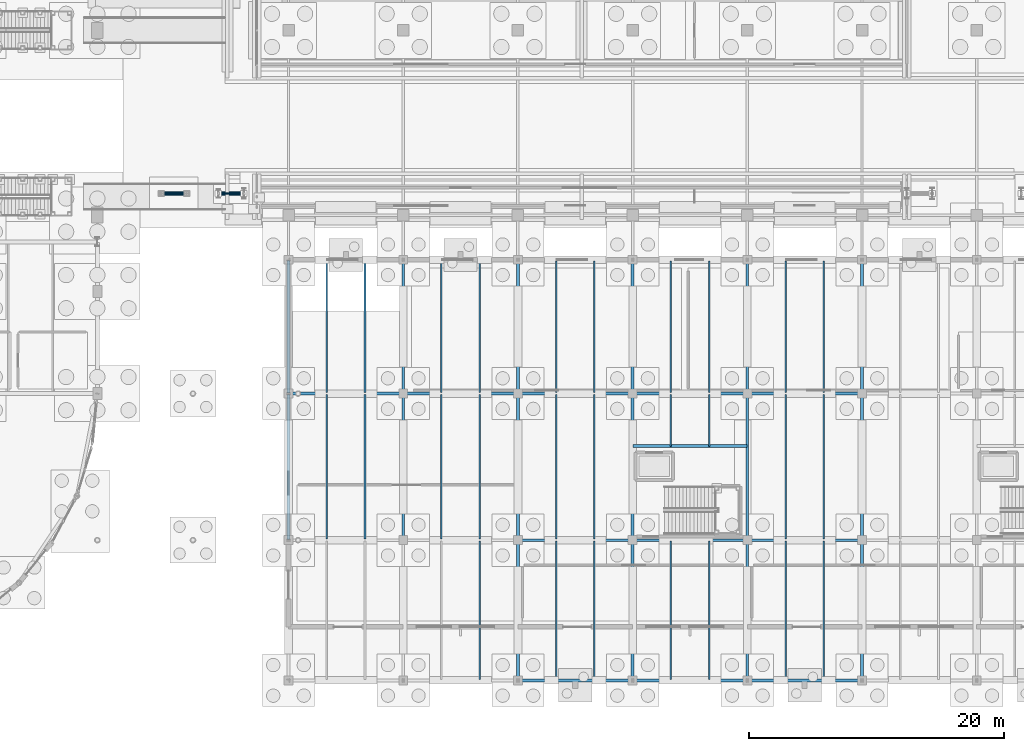
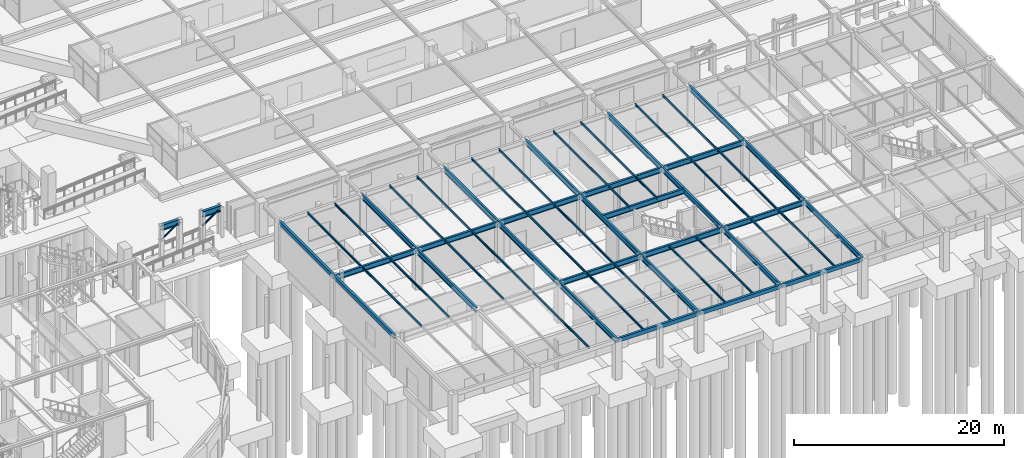
# One storey, part 80 of 160: 57 beams, 2 members.
"""IFC4 building model written with IfcOpenShell, lengths in metres."""

from ifc_helpers import new_model, si_unit, direction, frame, origin, origin_2d, place, context, subcontext, project, spatial, hollow_rectangle, hollow_circle, i_section, extrude, material, material_profile, profile_set, type_object, element, save


model = new_model("IFC4")

# Units and contexts
model_context = context("Model", 3, precision=1e-05, world=origin(), true_north=direction((0.0, 1.0)))
body_context = subcontext(model_context, "Body", "Model", "MODEL_VIEW")
ifc_project = project(units=[si_unit("LENGTHUNIT", "METRE"), si_unit("AREAUNIT", "SQUARE_METRE"), si_unit("VOLUMEUNIT", "CUBIC_METRE"), si_unit("PLANEANGLEUNIT", "RADIAN"), si_unit("MASSUNIT", "GRAM", prefix="KILO")], contexts=[model_context])

# Site, building, storey
site_placement = place(None, origin())
site = spatial("IfcSite", under=ifc_project, at=site_placement, CompositionType="ELEMENT")
building_placement = place(site_placement, origin())
building = spatial("IfcBuilding", under=site, at=building_placement, Name="Marlcrest Central Station", CompositionType="ELEMENT")
storey_placement = place(building_placement, origin())
storey = spatial("IfcBuildingStorey", under=building, at=storey_placement, Name="L00", CompositionType="ELEMENT", Elevation=0.0)

# Members
ifc_material = material(Name="Steel S355", Category="steel")
ifc_material_profile_1 = material_profile(ifc_material, hollow_circle(Radius=0.06982421875, WallThickness=0.008056640625, at=origin_2d()), Name="CHS 139.7x8")
ifc_profile_set_1 = profile_set([ifc_material_profile_1], Name="Steel S355")
member_type_1 = type_object("IfcMemberType", Name="BF-07", PredefinedType="BRACE", material=ifc_profile_set_1)
member_1_placement = place(storey_placement, frame((134.0, 38.199951171875, 2.699951171875), z_axis=(0.819203731481, 0.0, 0.57350261231), x_axis=(0.0, 1.0, 0.0)))
element("IfcMember", 1, at=member_1_placement, inside=storey, type_object=member_type_1, Name="mem-BF-07-L00-02562", PredefinedType="BRACE", context=body_context, shape_type="SweptSolid", body=[
    extrude(hollow_circle(Radius=0.06982421875, WallThickness=0.008056640625, at=origin_2d()), origin(), (0.0, 0.0, 1.0), 2.44140625),
])
ifc_material_profile_2 = material_profile(ifc_material, hollow_circle(Radius=0.096923828125, WallThickness=0.010009765625, at=origin_2d()), Name="CHS 193.7x10")
ifc_profile_set_2 = profile_set([ifc_material_profile_2], Name="Steel S355")
member_type_2 = type_object("IfcMemberType", Name="BF-08", PredefinedType="BRACE", material=ifc_profile_set_2)
member_2_placement = place(storey_placement, frame((138.5, 38.199951171875, 2.699951171875), z_axis=(0.819203731481, 0.0, 0.57350261231), x_axis=(0.0, 1.0, 0.0)))
element("IfcMember", 2, at=member_2_placement, inside=storey, type_object=member_type_2, Name="mem-BF-08-L00-02554", PredefinedType="BRACE", context=body_context, shape_type="SweptSolid", body=[
    extrude(hollow_circle(Radius=0.096923828125, WallThickness=0.010009765625, at=origin_2d()), origin(), (0.0, 0.0, 1.0), 2.44140625),
])

# Beams
ifc_material_profile_3 = material_profile(ifc_material, i_section(OverallWidth=0.219970703125, OverallDepth=0.60009765625, WebThickness=0.011962890625, FlangeThickness=0.01904296875, FilletRadius=0.02392578125, at=origin_2d()), Name="IPE 600")
ifc_profile_set_3 = profile_set([ifc_material_profile_3], Name="Steel S355")
beam_type_1 = type_object("IfcBeamType", Name="BM-07", PredefinedType="BEAM", material=ifc_profile_set_3)
for number, where, z_axis, x_axis, name in (
    (3, (162.06005859375, 11.0, 4.304931640625), (1.0, 0.0, 0.0), (0.0, 1.0, 0.0), "bm-BM-07-L00-00760"),
    (4, (171.06005859375, 11.0, 4.304931640625), (1.0, 0.0, 0.0), (0.0, 1.0, 0.0), "bm-BM-07-L00-00761"),
    (5, (180.06005859375, 11.0, 4.304931640625), (1.0, 0.0, 0.0), (0.0, 1.0, 0.0), "bm-BM-07-L00-00762"),
    (6, (144.06005859375, 22.5, 4.304931640625), (1.0, 0.0, 0.0), (0.0, 1.0, 0.0), "bm-BM-07-L00-00766"),
    (7, (153.06005859375, 22.5, 4.304931640625), (1.0, 0.0, 0.0), (0.0, 1.0, 0.0), "bm-BM-07-L00-00767"),
    (8, (162.06005859375, 22.5, 4.304931640625), (1.0, 0.0, 0.0), (0.0, 1.0, 0.0), "bm-BM-07-L00-00768"),
    (9, (171.06005859375, 22.5, 4.304931640625), (1.0, 0.0, 0.0), (0.0, 1.0, 0.0), "bm-BM-07-L00-00769"),
    (10, (180.06005859375, 22.5, 4.304931640625), (1.0, 0.0, 0.0), (0.0, 1.0, 0.0), "bm-BM-07-L00-00770"),
):
    element("IfcBeam", number, at=place(storey_placement, frame(where, z_axis=z_axis, x_axis=x_axis)), inside=storey, type_object=beam_type_1, Name=name, PredefinedType="BEAM", context=body_context, shape_type="SweptSolid", body=[
        extrude(i_section(OverallWidth=0.219970703125, OverallDepth=0.60009765625, WebThickness=0.011962890625, FlangeThickness=0.01904296875, FilletRadius=0.02392578125, at=origin_2d()), origin(), (0.0, 0.0, 1.0), 8.8798828125),
    ])
beam_1_placement = place(storey_placement, frame((153.0, 11.06005859375, 4.304931640625), z_axis=(0.0, 1.0, 0.0), x_axis=(-1.0, 0.0, 0.0)))
element("IfcBeam", 11, at=beam_1_placement, inside=storey, type_object=beam_type_1, Name="bm-BM-07-L00-00786", PredefinedType="BEAM", context=body_context, shape_type="SweptSolid", body=[
    extrude(i_section(OverallWidth=0.219970703125, OverallDepth=0.60009765625, WebThickness=0.011962890625, FlangeThickness=0.01904296875, FilletRadius=0.02392578125, at=origin_2d()), origin(), (0.0, 0.0, 1.0), 11.3798828125),
])
beam_2_placement = place(storey_placement, frame((153.0, 22.56005859375, 4.304931640625), z_axis=(0.0, 1.0, 0.0), x_axis=(-1.0, 0.0, 0.0)))
element("IfcBeam", 12, at=beam_2_placement, inside=storey, type_object=beam_type_1, Name="bm-BM-07-L00-00787", PredefinedType="BEAM", context=body_context, shape_type="SweptSolid", body=[
    extrude(i_section(OverallWidth=0.219970703125, OverallDepth=0.60009765625, WebThickness=0.011962890625, FlangeThickness=0.01904296875, FilletRadius=0.02392578125, at=origin_2d()), origin(), (0.0, 0.0, 1.0), 10.3798828125),
])
beam_3_placement = place(storey_placement, frame((162.0, 0.06005859375, 4.304931640625), z_axis=(0.0, 1.0, 0.0), x_axis=(-1.0, 0.0, 0.0)))
element("IfcBeam", 13, at=beam_3_placement, inside=storey, type_object=beam_type_1, Name="bm-BM-07-L00-00788", PredefinedType="BEAM", context=body_context, shape_type="SweptSolid", body=[
    extrude(i_section(OverallWidth=0.219970703125, OverallDepth=0.60009765625, WebThickness=0.011962890625, FlangeThickness=0.01904296875, FilletRadius=0.02392578125, at=origin_2d()), origin(), (0.0, 0.0, 1.0), 10.8798828125),
])
beam_4_placement = place(storey_placement, frame((162.0, 11.06005859375, 4.304931640625), z_axis=(0.0, 1.0, 0.0), x_axis=(-1.0, 0.0, 0.0)))
element("IfcBeam", 14, at=beam_4_placement, inside=storey, type_object=beam_type_1, Name="bm-BM-07-L00-00789", PredefinedType="BEAM", context=body_context, shape_type="SweptSolid", body=[
    extrude(i_section(OverallWidth=0.219970703125, OverallDepth=0.60009765625, WebThickness=0.011962890625, FlangeThickness=0.01904296875, FilletRadius=0.02392578125, at=origin_2d()), origin(), (0.0, 0.0, 1.0), 11.3798828125),
])
beam_5_placement = place(storey_placement, frame((162.0, 22.56005859375, 4.304931640625), z_axis=(0.0, 1.0, 0.0), x_axis=(-1.0, 0.0, 0.0)))
element("IfcBeam", 15, at=beam_5_placement, inside=storey, type_object=beam_type_1, Name="bm-BM-07-L00-00790", PredefinedType="BEAM", context=body_context, shape_type="SweptSolid", body=[
    extrude(i_section(OverallWidth=0.219970703125, OverallDepth=0.60009765625, WebThickness=0.011962890625, FlangeThickness=0.01904296875, FilletRadius=0.02392578125, at=origin_2d()), origin(), (0.0, 0.0, 1.0), 10.3798828125),
])
beam_6_placement = place(storey_placement, frame((171.0, 0.06005859375, 4.304931640625), z_axis=(0.0, 1.0, 0.0), x_axis=(-1.0, 0.0, 0.0)))
element("IfcBeam", 16, at=beam_6_placement, inside=storey, type_object=beam_type_1, Name="bm-BM-07-L00-00791", PredefinedType="BEAM", context=body_context, shape_type="SweptSolid", body=[
    extrude(i_section(OverallWidth=0.219970703125, OverallDepth=0.60009765625, WebThickness=0.011962890625, FlangeThickness=0.01904296875, FilletRadius=0.02392578125, at=origin_2d()), origin(), (0.0, 0.0, 1.0), 10.8798828125),
])
beam_7_placement = place(storey_placement, frame((171.0, 11.06005859375, 4.304931640625), z_axis=(0.0, 1.0, 0.0), x_axis=(-1.0, 0.0, 0.0)))
element("IfcBeam", 17, at=beam_7_placement, inside=storey, type_object=beam_type_1, Name="bm-BM-07-L00-00792", PredefinedType="BEAM", context=body_context, shape_type="SweptSolid", body=[
    extrude(i_section(OverallWidth=0.219970703125, OverallDepth=0.60009765625, WebThickness=0.011962890625, FlangeThickness=0.01904296875, FilletRadius=0.02392578125, at=origin_2d()), origin(), (0.0, 0.0, 1.0), 11.3798828125),
])
beam_8_placement = place(storey_placement, frame((171.0, 22.56005859375, 4.304931640625), z_axis=(0.0, 1.0, 0.0), x_axis=(-1.0, 0.0, 0.0)))
element("IfcBeam", 18, at=beam_8_placement, inside=storey, type_object=beam_type_1, Name="bm-BM-07-L00-00793", PredefinedType="BEAM", context=body_context, shape_type="SweptSolid", body=[
    extrude(i_section(OverallWidth=0.219970703125, OverallDepth=0.60009765625, WebThickness=0.011962890625, FlangeThickness=0.01904296875, FilletRadius=0.02392578125, at=origin_2d()), origin(), (0.0, 0.0, 1.0), 10.3798828125),
])
beam_9_placement = place(storey_placement, frame((180.0, 0.06005859375, 4.304931640625), z_axis=(0.0, 1.0, 0.0), x_axis=(-1.0, 0.0, 0.0)))
element("IfcBeam", 19, at=beam_9_placement, inside=storey, type_object=beam_type_1, Name="bm-BM-07-L00-00794", PredefinedType="BEAM", context=body_context, shape_type="SweptSolid", body=[
    extrude(i_section(OverallWidth=0.219970703125, OverallDepth=0.60009765625, WebThickness=0.011962890625, FlangeThickness=0.01904296875, FilletRadius=0.02392578125, at=origin_2d()), origin(), (0.0, 0.0, 1.0), 10.8798828125),
])
beam_10_placement = place(storey_placement, frame((180.0, 11.06005859375, 4.304931640625), z_axis=(0.0, 1.0, 0.0), x_axis=(-1.0, 0.0, 0.0)))
element("IfcBeam", 20, at=beam_10_placement, inside=storey, type_object=beam_type_1, Name="bm-BM-07-L00-00795", PredefinedType="BEAM", context=body_context, shape_type="SweptSolid", body=[
    extrude(i_section(OverallWidth=0.219970703125, OverallDepth=0.60009765625, WebThickness=0.011962890625, FlangeThickness=0.01904296875, FilletRadius=0.02392578125, at=origin_2d()), origin(), (0.0, 0.0, 1.0), 11.3798828125),
])
beam_11_placement = place(storey_placement, frame((180.0, 22.56005859375, 4.304931640625), z_axis=(0.0, 1.0, 0.0), x_axis=(-1.0, 0.0, 0.0)))
element("IfcBeam", 21, at=beam_11_placement, inside=storey, type_object=beam_type_1, Name="bm-BM-07-L00-00796", PredefinedType="BEAM", context=body_context, shape_type="SweptSolid", body=[
    extrude(i_section(OverallWidth=0.219970703125, OverallDepth=0.60009765625, WebThickness=0.011962890625, FlangeThickness=0.01904296875, FilletRadius=0.02392578125, at=origin_2d()), origin(), (0.0, 0.0, 1.0), 10.3798828125),
])
beam_12_placement = place(storey_placement, frame((189.0, 0.06005859375, 4.304931640625), z_axis=(0.0, 1.0, 0.0), x_axis=(-1.0, 0.0, 0.0)))
element("IfcBeam", 22, at=beam_12_placement, inside=storey, type_object=beam_type_1, Name="bm-BM-07-L00-00797", PredefinedType="BEAM", context=body_context, shape_type="SweptSolid", body=[
    extrude(i_section(OverallWidth=0.219970703125, OverallDepth=0.60009765625, WebThickness=0.011962890625, FlangeThickness=0.01904296875, FilletRadius=0.02392578125, at=origin_2d()), origin(), (0.0, 0.0, 1.0), 10.8798828125),
])
beam_13_placement = place(storey_placement, frame((189.0, 11.06005859375, 4.304931640625), z_axis=(0.0, 1.0, 0.0), x_axis=(-1.0, 0.0, 0.0)))
element("IfcBeam", 23, at=beam_13_placement, inside=storey, type_object=beam_type_1, Name="bm-BM-07-L00-00798", PredefinedType="BEAM", context=body_context, shape_type="SweptSolid", body=[
    extrude(i_section(OverallWidth=0.219970703125, OverallDepth=0.60009765625, WebThickness=0.011962890625, FlangeThickness=0.01904296875, FilletRadius=0.02392578125, at=origin_2d()), origin(), (0.0, 0.0, 1.0), 11.3798828125),
])
beam_14_placement = place(storey_placement, frame((189.0, 22.56005859375, 4.304931640625), z_axis=(0.0, 1.0, 0.0), x_axis=(-1.0, 0.0, 0.0)))
element("IfcBeam", 24, at=beam_14_placement, inside=storey, type_object=beam_type_1, Name="bm-BM-07-L00-00799", PredefinedType="BEAM", context=body_context, shape_type="SweptSolid", body=[
    extrude(i_section(OverallWidth=0.219970703125, OverallDepth=0.60009765625, WebThickness=0.011962890625, FlangeThickness=0.01904296875, FilletRadius=0.02392578125, at=origin_2d()), origin(), (0.0, 0.0, 1.0), 10.3798828125),
])
beam_15_placement = place(storey_placement, frame((171.0400390625, 18.39990234375, 4.304931640625), z_axis=(1.0, 0.0, 0.0), x_axis=(0.0, 1.0, 0.0)))
element("IfcBeam", 25, at=beam_15_placement, inside=storey, type_object=beam_type_1, Name="bm-BM-07-L00-00857", PredefinedType="BEAM", context=body_context, shape_type="SweptSolid", body=[
    extrude(i_section(OverallWidth=0.219970703125, OverallDepth=0.60009765625, WebThickness=0.011962890625, FlangeThickness=0.01904296875, FilletRadius=0.02392578125, at=origin_2d()), origin(), (0.0, 0.0, 1.0), 8.919921875),
])
ifc_material_profile_4 = material_profile(ifc_material, i_section(OverallWidth=0.300048828125, OverallDepth=0.68994140625, WebThickness=0.014404296875, FlangeThickness=0.027099609375, FilletRadius=0.027099609375, at=origin_2d()), Name="HEA 700")
ifc_profile_set_4 = profile_set([ifc_material_profile_4], Name="Steel S355")
beam_type_2 = type_object("IfcBeamType", Name="BM-16", PredefinedType="BEAM", material=ifc_profile_set_4)
beam_16_placement = place(storey_placement, frame((138.5, 38.199951171875, 4.10498046875), z_axis=(1.0, 0.0, 0.0), x_axis=(0.0, 1.0, 0.0)))
element("IfcBeam", 26, at=beam_16_placement, inside=storey, type_object=beam_type_2, Name="bm-BM-16-L00-01558", PredefinedType="BEAM", context=body_context, shape_type="SweptSolid", body=[
    extrude(i_section(OverallWidth=0.300048828125, OverallDepth=0.68994140625, WebThickness=0.014404296875, FlangeThickness=0.027099609375, FilletRadius=0.027099609375, at=origin_2d()), origin(), (0.0, 0.0, 1.0), 2.0),
])
ifc_material_profile_5 = material_profile(ifc_material, i_section(OverallWidth=0.300048828125, OverallDepth=0.64990234375, WebThickness=0.01611328125, FlangeThickness=0.031005859375, FilletRadius=0.027099609375, at=origin_2d()), Name="HEB 650")
ifc_profile_set_5 = profile_set([ifc_material_profile_5], Name="Steel S355")
beam_type_3 = type_object("IfcBeamType", Name="BM-20", PredefinedType="BEAM", material=ifc_profile_set_5)
beam_17_placement = place(storey_placement, frame((134.0, 38.199951171875, 4.125), z_axis=(1.0, 0.0, 0.0), x_axis=(0.0, 1.0, 0.0)))
element("IfcBeam", 27, at=beam_17_placement, inside=storey, type_object=beam_type_3, Name="bm-BM-20-L00-01566", PredefinedType="BEAM", context=body_context, shape_type="SweptSolid", body=[
    extrude(i_section(OverallWidth=0.300048828125, OverallDepth=0.64990234375, WebThickness=0.01611328125, FlangeThickness=0.031005859375, FilletRadius=0.027099609375, at=origin_2d()), origin(), (0.0, 0.0, 1.0), 2.0),
])
ifc_material_profile_6 = material_profile(ifc_material, i_section(OverallWidth=0.1201171875, OverallDepth=0.239990234375, WebThickness=0.006103515625, FlangeThickness=0.009765625, FilletRadius=0.014892578125, at=origin_2d()), Name="IPE 240")
ifc_profile_set_6 = profile_set([ifc_material_profile_6], Name="Steel S355")
beam_type_4 = type_object("IfcBeamType", Name="JS-03", PredefinedType="JOIST", material=ifc_profile_set_6)
beam_18_placement = place(storey_placement, frame((147.0, 11.0830078125, 4.485107421875), z_axis=(0.0, 1.0, 0.0), x_axis=(-1.0, 0.0, 0.0)))
element("IfcBeam", 28, at=beam_18_placement, inside=storey, type_object=beam_type_4, Name="bm-JS-03-L00-00810", PredefinedType="JOIST", context=body_context, shape_type="SweptSolid", body=[
    extrude(i_section(OverallWidth=0.1201171875, OverallDepth=0.239990234375, WebThickness=0.006103515625, FlangeThickness=0.009765625, FilletRadius=0.014892578125, at=origin_2d()), origin(), (0.0, 0.0, 1.0), 11.333984375),
])
beam_19_placement = place(storey_placement, frame((147.0, 22.5830078125, 4.485107421875), z_axis=(0.0, 1.0, 0.0), x_axis=(-1.0, 0.0, 0.0)))
element("IfcBeam", 29, at=beam_19_placement, inside=storey, type_object=beam_type_4, Name="bm-JS-03-L00-00811", PredefinedType="JOIST", context=body_context, shape_type="SweptSolid", body=[
    extrude(i_section(OverallWidth=0.1201171875, OverallDepth=0.239990234375, WebThickness=0.006103515625, FlangeThickness=0.009765625, FilletRadius=0.014892578125, at=origin_2d()), origin(), (0.0, 0.0, 1.0), 10.333984375),
])
beam_20_placement = place(storey_placement, frame((150.0, 11.0830078125, 4.485107421875), z_axis=(0.0, 1.0, 0.0), x_axis=(-1.0, 0.0, 0.0)))
element("IfcBeam", 30, at=beam_20_placement, inside=storey, type_object=beam_type_4, Name="bm-JS-03-L00-00813", PredefinedType="JOIST", context=body_context, shape_type="SweptSolid", body=[
    extrude(i_section(OverallWidth=0.1201171875, OverallDepth=0.239990234375, WebThickness=0.006103515625, FlangeThickness=0.009765625, FilletRadius=0.014892578125, at=origin_2d()), origin(), (0.0, 0.0, 1.0), 11.333984375),
])
beam_21_placement = place(storey_placement, frame((150.0, 22.5830078125, 4.485107421875), z_axis=(0.0, 1.0, 0.0), x_axis=(-1.0, 0.0, 0.0)))
element("IfcBeam", 31, at=beam_21_placement, inside=storey, type_object=beam_type_4, Name="bm-JS-03-L00-00814", PredefinedType="JOIST", context=body_context, shape_type="SweptSolid", body=[
    extrude(i_section(OverallWidth=0.1201171875, OverallDepth=0.239990234375, WebThickness=0.006103515625, FlangeThickness=0.009765625, FilletRadius=0.014892578125, at=origin_2d()), origin(), (0.0, 0.0, 1.0), 10.333984375),
])
beam_22_placement = place(storey_placement, frame((156.0, 11.0830078125, 4.485107421875), z_axis=(0.0, 1.0, 0.0), x_axis=(-1.0, 0.0, 0.0)))
element("IfcBeam", 32, at=beam_22_placement, inside=storey, type_object=beam_type_4, Name="bm-JS-03-L00-00816", PredefinedType="JOIST", context=body_context, shape_type="SweptSolid", body=[
    extrude(i_section(OverallWidth=0.1201171875, OverallDepth=0.239990234375, WebThickness=0.006103515625, FlangeThickness=0.009765625, FilletRadius=0.014892578125, at=origin_2d()), origin(), (0.0, 0.0, 1.0), 11.333984375),
])
beam_23_placement = place(storey_placement, frame((156.0, 22.5830078125, 4.485107421875), z_axis=(0.0, 1.0, 0.0), x_axis=(-1.0, 0.0, 0.0)))
element("IfcBeam", 33, at=beam_23_placement, inside=storey, type_object=beam_type_4, Name="bm-JS-03-L00-00817", PredefinedType="JOIST", context=body_context, shape_type="SweptSolid", body=[
    extrude(i_section(OverallWidth=0.1201171875, OverallDepth=0.239990234375, WebThickness=0.006103515625, FlangeThickness=0.009765625, FilletRadius=0.014892578125, at=origin_2d()), origin(), (0.0, 0.0, 1.0), 10.333984375),
])
beam_24_placement = place(storey_placement, frame((159.0, 0.0830078125, 4.485107421875), z_axis=(0.0, 1.0, 0.0), x_axis=(-1.0, 0.0, 0.0)))
element("IfcBeam", 34, at=beam_24_placement, inside=storey, type_object=beam_type_4, Name="bm-JS-03-L00-00818", PredefinedType="JOIST", context=body_context, shape_type="SweptSolid", body=[
    extrude(i_section(OverallWidth=0.1201171875, OverallDepth=0.239990234375, WebThickness=0.006103515625, FlangeThickness=0.009765625, FilletRadius=0.014892578125, at=origin_2d()), origin(), (0.0, 0.0, 1.0), 10.833984375),
])
beam_25_placement = place(storey_placement, frame((159.0, 11.0830078125, 4.485107421875), z_axis=(0.0, 1.0, 0.0), x_axis=(-1.0, 0.0, 0.0)))
element("IfcBeam", 35, at=beam_25_placement, inside=storey, type_object=beam_type_4, Name="bm-JS-03-L00-00819", PredefinedType="JOIST", context=body_context, shape_type="SweptSolid", body=[
    extrude(i_section(OverallWidth=0.1201171875, OverallDepth=0.239990234375, WebThickness=0.006103515625, FlangeThickness=0.009765625, FilletRadius=0.014892578125, at=origin_2d()), origin(), (0.0, 0.0, 1.0), 11.333984375),
])
beam_26_placement = place(storey_placement, frame((159.0, 22.5830078125, 4.485107421875), z_axis=(0.0, 1.0, 0.0), x_axis=(-1.0, 0.0, 0.0)))
element("IfcBeam", 36, at=beam_26_placement, inside=storey, type_object=beam_type_4, Name="bm-JS-03-L00-00820", PredefinedType="JOIST", context=body_context, shape_type="SweptSolid", body=[
    extrude(i_section(OverallWidth=0.1201171875, OverallDepth=0.239990234375, WebThickness=0.006103515625, FlangeThickness=0.009765625, FilletRadius=0.014892578125, at=origin_2d()), origin(), (0.0, 0.0, 1.0), 10.333984375),
])
beam_27_placement = place(storey_placement, frame((165.0, 0.0830078125, 4.485107421875), z_axis=(0.0, 1.0, 0.0), x_axis=(-1.0, 0.0, 0.0)))
element("IfcBeam", 37, at=beam_27_placement, inside=storey, type_object=beam_type_4, Name="bm-JS-03-L00-00821", PredefinedType="JOIST", context=body_context, shape_type="SweptSolid", body=[
    extrude(i_section(OverallWidth=0.1201171875, OverallDepth=0.239990234375, WebThickness=0.006103515625, FlangeThickness=0.009765625, FilletRadius=0.014892578125, at=origin_2d()), origin(), (0.0, 0.0, 1.0), 10.833984375),
])
beam_28_placement = place(storey_placement, frame((165.0, 11.0830078125, 4.485107421875), z_axis=(0.0, 1.0, 0.0), x_axis=(-1.0, 0.0, 0.0)))
element("IfcBeam", 38, at=beam_28_placement, inside=storey, type_object=beam_type_4, Name="bm-JS-03-L00-00822", PredefinedType="JOIST", context=body_context, shape_type="SweptSolid", body=[
    extrude(i_section(OverallWidth=0.1201171875, OverallDepth=0.239990234375, WebThickness=0.006103515625, FlangeThickness=0.009765625, FilletRadius=0.014892578125, at=origin_2d()), origin(), (0.0, 0.0, 1.0), 11.333984375),
])
beam_29_placement = place(storey_placement, frame((165.0, 22.5830078125, 4.485107421875), z_axis=(0.0, 1.0, 0.0), x_axis=(-1.0, 0.0, 0.0)))
element("IfcBeam", 39, at=beam_29_placement, inside=storey, type_object=beam_type_4, Name="bm-JS-03-L00-00823", PredefinedType="JOIST", context=body_context, shape_type="SweptSolid", body=[
    extrude(i_section(OverallWidth=0.1201171875, OverallDepth=0.239990234375, WebThickness=0.006103515625, FlangeThickness=0.009765625, FilletRadius=0.014892578125, at=origin_2d()), origin(), (0.0, 0.0, 1.0), 10.333984375),
])
beam_30_placement = place(storey_placement, frame((168.0, 0.0830078125, 4.485107421875), z_axis=(0.0, 1.0, 0.0), x_axis=(-1.0, 0.0, 0.0)))
element("IfcBeam", 40, at=beam_30_placement, inside=storey, type_object=beam_type_4, Name="bm-JS-03-L00-00824", PredefinedType="JOIST", context=body_context, shape_type="SweptSolid", body=[
    extrude(i_section(OverallWidth=0.1201171875, OverallDepth=0.239990234375, WebThickness=0.006103515625, FlangeThickness=0.009765625, FilletRadius=0.014892578125, at=origin_2d()), origin(), (0.0, 0.0, 1.0), 10.833984375),
])
beam_31_placement = place(storey_placement, frame((168.0, 11.0830078125, 4.485107421875), z_axis=(0.0, 1.0, 0.0), x_axis=(-1.0, 0.0, 0.0)))
element("IfcBeam", 41, at=beam_31_placement, inside=storey, type_object=beam_type_4, Name="bm-JS-03-L00-00825", PredefinedType="JOIST", context=body_context, shape_type="SweptSolid", body=[
    extrude(i_section(OverallWidth=0.1201171875, OverallDepth=0.239990234375, WebThickness=0.006103515625, FlangeThickness=0.009765625, FilletRadius=0.014892578125, at=origin_2d()), origin(), (0.0, 0.0, 1.0), 11.333984375),
])
beam_32_placement = place(storey_placement, frame((168.0, 22.5830078125, 4.485107421875), z_axis=(0.0, 1.0, 0.0), x_axis=(-1.0, 0.0, 0.0)))
element("IfcBeam", 42, at=beam_32_placement, inside=storey, type_object=beam_type_4, Name="bm-JS-03-L00-00826", PredefinedType="JOIST", context=body_context, shape_type="SweptSolid", body=[
    extrude(i_section(OverallWidth=0.1201171875, OverallDepth=0.239990234375, WebThickness=0.006103515625, FlangeThickness=0.009765625, FilletRadius=0.014892578125, at=origin_2d()), origin(), (0.0, 0.0, 1.0), 10.333984375),
])
beam_33_placement = place(storey_placement, frame((174.0, 0.0830078125, 4.485107421875), z_axis=(0.0, 1.0, 0.0), x_axis=(-1.0, 0.0, 0.0)))
element("IfcBeam", 43, at=beam_33_placement, inside=storey, type_object=beam_type_4, Name="bm-JS-03-L00-00827", PredefinedType="JOIST", context=body_context, shape_type="SweptSolid", body=[
    extrude(i_section(OverallWidth=0.1201171875, OverallDepth=0.239990234375, WebThickness=0.006103515625, FlangeThickness=0.009765625, FilletRadius=0.014892578125, at=origin_2d()), origin(), (0.0, 0.0, 1.0), 10.833984375),
])
beam_34_placement = place(storey_placement, frame((174.0, 18.360107421875, 4.485107421875), z_axis=(0.0, 1.0, 0.0), x_axis=(-1.0, 0.0, 0.0)))
element("IfcBeam", 44, at=beam_34_placement, inside=storey, type_object=beam_type_4, Name="bm-JS-03-L00-00828", PredefinedType="JOIST", context=body_context, shape_type="SweptSolid", body=[
    extrude(i_section(OverallWidth=0.1201171875, OverallDepth=0.239990234375, WebThickness=0.006103515625, FlangeThickness=0.009765625, FilletRadius=0.014892578125, at=origin_2d()), origin(), (0.0, 0.0, 1.0), 4.056884765625),
])
beam_35_placement = place(storey_placement, frame((174.0, 22.5830078125, 4.485107421875), z_axis=(0.0, 1.0, 0.0), x_axis=(-1.0, 0.0, 0.0)))
element("IfcBeam", 45, at=beam_35_placement, inside=storey, type_object=beam_type_4, Name="bm-JS-03-L00-00829", PredefinedType="JOIST", context=body_context, shape_type="SweptSolid", body=[
    extrude(i_section(OverallWidth=0.1201171875, OverallDepth=0.239990234375, WebThickness=0.006103515625, FlangeThickness=0.009765625, FilletRadius=0.014892578125, at=origin_2d()), origin(), (0.0, 0.0, 1.0), 10.333984375),
])
beam_36_placement = place(storey_placement, frame((177.0, 0.0830078125, 4.485107421875), z_axis=(0.0, 1.0, 0.0), x_axis=(-1.0, 0.0, 0.0)))
element("IfcBeam", 46, at=beam_36_placement, inside=storey, type_object=beam_type_4, Name="bm-JS-03-L00-00830", PredefinedType="JOIST", context=body_context, shape_type="SweptSolid", body=[
    extrude(i_section(OverallWidth=0.1201171875, OverallDepth=0.239990234375, WebThickness=0.006103515625, FlangeThickness=0.009765625, FilletRadius=0.014892578125, at=origin_2d()), origin(), (0.0, 0.0, 1.0), 10.833984375),
])
beam_37_placement = place(storey_placement, frame((177.0, 18.360107421875, 4.485107421875), z_axis=(0.0, 1.0, 0.0), x_axis=(-1.0, 0.0, 0.0)))
element("IfcBeam", 47, at=beam_37_placement, inside=storey, type_object=beam_type_4, Name="bm-JS-03-L00-00831", PredefinedType="JOIST", context=body_context, shape_type="SweptSolid", body=[
    extrude(i_section(OverallWidth=0.1201171875, OverallDepth=0.239990234375, WebThickness=0.006103515625, FlangeThickness=0.009765625, FilletRadius=0.014892578125, at=origin_2d()), origin(), (0.0, 0.0, 1.0), 4.056884765625),
])
beam_38_placement = place(storey_placement, frame((177.0, 22.5830078125, 4.485107421875), z_axis=(0.0, 1.0, 0.0), x_axis=(-1.0, 0.0, 0.0)))
element("IfcBeam", 48, at=beam_38_placement, inside=storey, type_object=beam_type_4, Name="bm-JS-03-L00-00832", PredefinedType="JOIST", context=body_context, shape_type="SweptSolid", body=[
    extrude(i_section(OverallWidth=0.1201171875, OverallDepth=0.239990234375, WebThickness=0.006103515625, FlangeThickness=0.009765625, FilletRadius=0.014892578125, at=origin_2d()), origin(), (0.0, 0.0, 1.0), 10.333984375),
])
beam_39_placement = place(storey_placement, frame((183.0, 0.0830078125, 4.485107421875), z_axis=(0.0, 1.0, 0.0), x_axis=(-1.0, 0.0, 0.0)))
element("IfcBeam", 49, at=beam_39_placement, inside=storey, type_object=beam_type_4, Name="bm-JS-03-L00-00833", PredefinedType="JOIST", context=body_context, shape_type="SweptSolid", body=[
    extrude(i_section(OverallWidth=0.1201171875, OverallDepth=0.239990234375, WebThickness=0.006103515625, FlangeThickness=0.009765625, FilletRadius=0.014892578125, at=origin_2d()), origin(), (0.0, 0.0, 1.0), 10.833984375),
])
beam_40_placement = place(storey_placement, frame((183.0, 11.0830078125, 4.485107421875), z_axis=(0.0, 1.0, 0.0), x_axis=(-1.0, 0.0, 0.0)))
element("IfcBeam", 50, at=beam_40_placement, inside=storey, type_object=beam_type_4, Name="bm-JS-03-L00-00834", PredefinedType="JOIST", context=body_context, shape_type="SweptSolid", body=[
    extrude(i_section(OverallWidth=0.1201171875, OverallDepth=0.239990234375, WebThickness=0.006103515625, FlangeThickness=0.009765625, FilletRadius=0.014892578125, at=origin_2d()), origin(), (0.0, 0.0, 1.0), 11.333984375),
])
beam_41_placement = place(storey_placement, frame((183.0, 22.5830078125, 4.485107421875), z_axis=(0.0, 1.0, 0.0), x_axis=(-1.0, 0.0, 0.0)))
element("IfcBeam", 51, at=beam_41_placement, inside=storey, type_object=beam_type_4, Name="bm-JS-03-L00-00835", PredefinedType="JOIST", context=body_context, shape_type="SweptSolid", body=[
    extrude(i_section(OverallWidth=0.1201171875, OverallDepth=0.239990234375, WebThickness=0.006103515625, FlangeThickness=0.009765625, FilletRadius=0.014892578125, at=origin_2d()), origin(), (0.0, 0.0, 1.0), 10.333984375),
])
beam_42_placement = place(storey_placement, frame((186.0, 0.0830078125, 4.485107421875), z_axis=(0.0, 1.0, 0.0), x_axis=(-1.0, 0.0, 0.0)))
element("IfcBeam", 52, at=beam_42_placement, inside=storey, type_object=beam_type_4, Name="bm-JS-03-L00-00836", PredefinedType="JOIST", context=body_context, shape_type="SweptSolid", body=[
    extrude(i_section(OverallWidth=0.1201171875, OverallDepth=0.239990234375, WebThickness=0.006103515625, FlangeThickness=0.009765625, FilletRadius=0.014892578125, at=origin_2d()), origin(), (0.0, 0.0, 1.0), 10.833984375),
])
beam_43_placement = place(storey_placement, frame((186.0, 11.0830078125, 4.485107421875), z_axis=(0.0, 1.0, 0.0), x_axis=(-1.0, 0.0, 0.0)))
element("IfcBeam", 53, at=beam_43_placement, inside=storey, type_object=beam_type_4, Name="bm-JS-03-L00-00837", PredefinedType="JOIST", context=body_context, shape_type="SweptSolid", body=[
    extrude(i_section(OverallWidth=0.1201171875, OverallDepth=0.239990234375, WebThickness=0.006103515625, FlangeThickness=0.009765625, FilletRadius=0.014892578125, at=origin_2d()), origin(), (0.0, 0.0, 1.0), 11.333984375),
])
beam_44_placement = place(storey_placement, frame((186.0, 22.5830078125, 4.485107421875), z_axis=(0.0, 1.0, 0.0), x_axis=(-1.0, 0.0, 0.0)))
element("IfcBeam", 54, at=beam_44_placement, inside=storey, type_object=beam_type_4, Name="bm-JS-03-L00-00838", PredefinedType="JOIST", context=body_context, shape_type="SweptSolid", body=[
    extrude(i_section(OverallWidth=0.1201171875, OverallDepth=0.239990234375, WebThickness=0.006103515625, FlangeThickness=0.009765625, FilletRadius=0.014892578125, at=origin_2d()), origin(), (0.0, 0.0, 1.0), 10.333984375),
])
ifc_material_profile_7 = material_profile(ifc_material, hollow_rectangle(XDim=0.25, YDim=0.449951171875, WallThickness=0.01611328125, at=origin_2d()), Name="RHS 450x250x16")
ifc_profile_set_7 = profile_set([ifc_material_profile_7], Name="Steel S355")
beam_type_5 = type_object("IfcBeamType", Name="SP-02", PredefinedType="SPANDREL", material=ifc_profile_set_7)
for number, where, z_axis, x_axis, name in (
    (55, (162.06005859375, 0.0, 4.3798828125), (1.0, 0.0, 0.0), (0.0, 1.0, 0.0), "bm-SP-02-L00-00752"),
    (56, (171.06005859375, 0.0, 4.3798828125), (1.0, 0.0, 0.0), (0.0, 1.0, 0.0), "bm-SP-02-L00-00753"),
    (57, (180.06005859375, 0.0, 4.3798828125), (1.0, 0.0, 0.0), (0.0, 1.0, 0.0), "bm-SP-02-L00-00754"),
):
    element("IfcBeam", number, at=place(storey_placement, frame(where, z_axis=z_axis, x_axis=x_axis)), inside=storey, type_object=beam_type_5, Name=name, PredefinedType="SPANDREL", context=body_context, shape_type="SweptSolid", body=[
        extrude(hollow_rectangle(XDim=0.25, YDim=0.449951171875, WallThickness=0.01611328125, at=origin_2d()), origin(), (0.0, 0.0, 1.0), 8.8798828125),
    ])
beam_45_placement = place(storey_placement, frame((144.0, 11.06005859375, 4.3798828125), z_axis=(0.0, 1.0, 0.0), x_axis=(-1.0, 0.0, 0.0)))
element("IfcBeam", 58, at=beam_45_placement, inside=storey, type_object=beam_type_5, Name="bm-SP-02-L00-00783", PredefinedType="SPANDREL", context=body_context, shape_type="SweptSolid", body=[
    extrude(hollow_rectangle(XDim=0.25, YDim=0.449951171875, WallThickness=0.01611328125, at=origin_2d()), origin(), (0.0, 0.0, 1.0), 11.3798828125),
])
beam_46_placement = place(storey_placement, frame((144.0, 22.56005859375, 4.3798828125), z_axis=(0.0, 1.0, 0.0), x_axis=(-1.0, 0.0, 0.0)))
element("IfcBeam", 59, at=beam_46_placement, inside=storey, type_object=beam_type_5, Name="bm-SP-02-L00-00784", PredefinedType="SPANDREL", context=body_context, shape_type="SweptSolid", body=[
    extrude(hollow_rectangle(XDim=0.25, YDim=0.449951171875, WallThickness=0.01611328125, at=origin_2d()), origin(), (0.0, 0.0, 1.0), 10.3798828125),
])

save(model, "model.ifc")
